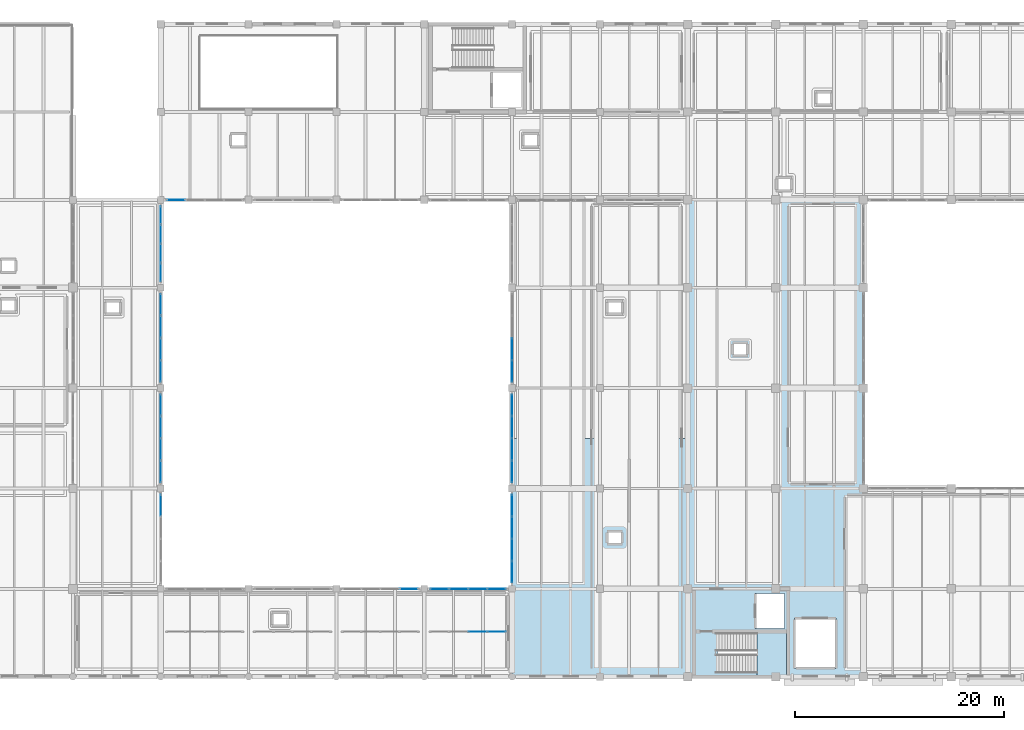
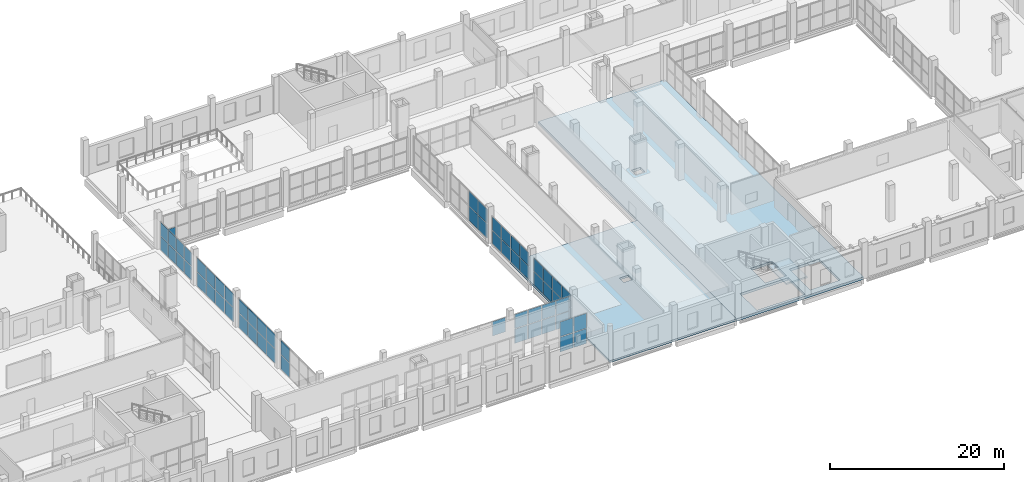
# One storey, part 50 of 73: 60 plates, 3 slabs, 12 elements without a shape of their own.
"""IFC4 building model written with IfcOpenShell, lengths in metres."""

from ifc_helpers import new_model, si_unit, direction, frame, origin, origin_2d, place, context, subcontext, project, spatial, polyline, rectangle, outline, extrude, material, layer, layer_set, type_object, element, aggregate, save


model = new_model("IFC4")

# Units and contexts
model_context = context("Model", 3, precision=1e-05, world=origin(), true_north=direction((0.0, 1.0)))
body_context = subcontext(model_context, "Body", "Model", "MODEL_VIEW")
ifc_project = project(units=[si_unit("LENGTHUNIT", "METRE"), si_unit("AREAUNIT", "SQUARE_METRE"), si_unit("VOLUMEUNIT", "CUBIC_METRE"), si_unit("PLANEANGLEUNIT", "RADIAN"), si_unit("MASSUNIT", "GRAM", prefix="KILO")], contexts=[model_context])

# Site, building, storey
site_placement = place(None, origin())
site = spatial("IfcSite", under=ifc_project, at=site_placement, CompositionType="ELEMENT")
building_placement = place(site_placement, origin())
building = spatial("IfcBuilding", under=site, at=building_placement, Name="Zulmaris Art Gallery", CompositionType="ELEMENT")
storey_placement = place(building_placement, frame((0.0, 0.0, 10.5)))
storey = spatial("IfcBuildingStorey", under=building, at=storey_placement, Name="L02", CompositionType="ELEMENT", Elevation=10.5)

# Curtain wall, plates
ifc_material_1 = material(Name="Cloister & Court Glazed Curtain Wall", Category="aluminium")
ifc_layer_1 = layer(ifc_material_1, 0.179931640625)
ifc_layer_set_1 = layer_set([ifc_layer_1], Name="Cloister & Court Glazed Curtain Wall")
curtain_wall_type_1 = type_object("IfcCurtainWallType", Name="CW-CW03", PredefinedType="NOTDEFINED", material=ifc_layer_set_1)
curtain_wall_1_placement = place(storey_placement, origin())
curtain_wall_1 = element("IfcCurtainWall", 1, at=curtain_wall_1_placement, inside=storey, type_object=curtain_wall_type_1, Name="L02 curtain wall 65", PredefinedType="NOTDEFINED")
ifc_material_2 = material(Name="Triple Solar-Control Laminated Glass", Category="glass")
ifc_layer_2 = layer(ifc_material_2, 0.035888671875)
ifc_layer_set_2 = layer_set([ifc_layer_2], Name="Triple Solar-Control Laminated Glass")
plate_type = type_object("IfcPlateType", Name="CWPAN-GLZ", PredefinedType="CURTAIN_PANEL", material=ifc_layer_set_2)
plate_1_placement = place(storey_placement, frame((121.514892578125, 17.5, 0.0751953125), z_axis=(0.0, 0.0, 1.0), x_axis=(1.0, 0.0, 0.0)))
plate_1 = element("IfcPlate", 2, at=plate_1_placement, type_object=plate_type, Name="CW03 panel 3.1", PredefinedType="CURTAIN_PANEL", context=body_context, shape_type="SweptSolid", body=[
    extrude(rectangle(XDim=1.7548828125, YDim=0.031982421875, at=origin_2d()), origin(), (0.0, 0.0, 1.0), 2.072509765625),
])
plate_2_placement = place(storey_placement, frame((121.514892578125, 17.5, 2.22265625), z_axis=(0.0, 0.0, 1.0), x_axis=(1.0, 0.0, 0.0)))
plate_2 = element("IfcPlate", 3, at=plate_2_placement, type_object=plate_type, Name="CW03 panel 3.2", PredefinedType="CURTAIN_PANEL", context=body_context, shape_type="SweptSolid", body=[
    extrude(rectangle(XDim=1.7548828125, YDim=0.031982421875, at=origin_2d()), origin(), (0.0, 0.0, 1.0), 2.072509765625),
])
plate_3_placement = place(storey_placement, frame((123.326171875, 17.5, 0.0751953125), z_axis=(0.0, 0.0, 1.0), x_axis=(1.0, 0.0, 0.0)))
plate_3 = element("IfcPlate", 4, at=plate_3_placement, type_object=plate_type, Name="CW03 panel 4.1", PredefinedType="CURTAIN_PANEL", context=body_context, shape_type="SweptSolid", body=[
    extrude(rectangle(XDim=1.717529296875, YDim=0.031982421875, at=origin_2d()), origin(), (0.0, 0.0, 1.0), 2.072509765625),
])
plate_4_placement = place(storey_placement, frame((123.326171875, 17.5, 2.22265625), z_axis=(0.0, 0.0, 1.0), x_axis=(1.0, 0.0, 0.0)))
plate_4 = element("IfcPlate", 5, at=plate_4_placement, type_object=plate_type, Name="CW03 panel 4.2", PredefinedType="CURTAIN_PANEL", context=body_context, shape_type="SweptSolid", body=[
    extrude(rectangle(XDim=1.717529296875, YDim=0.031982421875, at=origin_2d()), origin(), (0.0, 0.0, 1.0), 2.072509765625),
])
aggregate(curtain_wall_1, [plate_1, plate_2, plate_3, plate_4])

curtain_wall_2_placement = place(storey_placement, origin())
curtain_wall_2 = element("IfcCurtainWall", 6, at=curtain_wall_2_placement, inside=storey, type_object=curtain_wall_type_1, Name="L02 curtain wall 78", PredefinedType="NOTDEFINED")
plate_5_placement = place(storey_placement, frame((91.199951171875, 29.576171875, 0.074951171875), z_axis=(0.0, 0.0, 1.0), x_axis=(0.0, -1.0, 0.0)))
plate_5 = element("IfcPlate", 7, at=plate_5_placement, type_object=plate_type, Name="CW03 panel 1.1", PredefinedType="CURTAIN_PANEL", context=body_context, shape_type="SweptSolid", body=[
    extrude(rectangle(XDim=2.017578125, YDim=0.031982421875, at=origin_2d()), origin(), (0.0, 0.0, 1.0), 2.00244140625),
])
plate_6_placement = place(storey_placement, frame((91.199951171875, 29.576171875, 2.152587890625), z_axis=(0.0, 0.0, 1.0), x_axis=(0.0, -1.0, 0.0)))
plate_6 = element("IfcPlate", 8, at=plate_6_placement, type_object=plate_type, Name="CW03 panel 1.2", PredefinedType="CURTAIN_PANEL", context=body_context, shape_type="SweptSolid", body=[
    extrude(rectangle(XDim=2.017578125, YDim=0.031982421875, at=origin_2d()), origin(), (0.0, 0.0, 1.0), 2.00244140625),
])
aggregate(curtain_wall_2, [plate_5, plate_6])

curtain_wall_3_placement = place(storey_placement, origin())
curtain_wall_3 = element("IfcCurtainWall", 9, at=curtain_wall_3_placement, inside=storey, type_object=curtain_wall_type_1, Name="L02 curtain wall 80", PredefinedType="NOTDEFINED")
plate_7_placement = place(storey_placement, frame((91.199951171875, 39.17626953125, 0.0751953125), z_axis=(0.0, 0.0, 1.0), x_axis=(0.0, -1.0, 0.0)))
plate_7 = element("IfcPlate", 10, at=plate_7_placement, type_object=plate_type, Name="CW03 panel 1.1", PredefinedType="CURTAIN_PANEL", context=body_context, shape_type="SweptSolid", body=[
    extrude(rectangle(XDim=2.017578125, YDim=0.031982421875, at=origin_2d()), origin(), (0.0, 0.0, 1.0), 1.992431640625),
])
plate_8_placement = place(storey_placement, frame((91.199951171875, 39.17626953125, 2.142578125), z_axis=(0.0, 0.0, 1.0), x_axis=(0.0, -1.0, 0.0)))
plate_8 = element("IfcPlate", 11, at=plate_8_placement, type_object=plate_type, Name="CW03 panel 1.2", PredefinedType="CURTAIN_PANEL", context=body_context, shape_type="SweptSolid", body=[
    extrude(rectangle(XDim=2.017578125, YDim=0.031982421875, at=origin_2d()), origin(), (0.0, 0.0, 1.0), 1.992431640625),
])
plate_9_placement = place(storey_placement, frame((91.199951171875, 37.06494140625, 0.0751953125), z_axis=(0.0, 0.0, 1.0), x_axis=(0.0, -1.0, 0.0)))
plate_9 = element("IfcPlate", 12, at=plate_9_placement, type_object=plate_type, Name="CW03 panel 2.1", PredefinedType="CURTAIN_PANEL", context=body_context, shape_type="SweptSolid", body=[
    extrude(rectangle(XDim=2.054931640625, YDim=0.031982421875, at=origin_2d()), origin(), (0.0, 0.0, 1.0), 1.992431640625),
])
plate_10_placement = place(storey_placement, frame((91.199951171875, 37.06494140625, 2.142578125), z_axis=(0.0, 0.0, 1.0), x_axis=(0.0, -1.0, 0.0)))
plate_10 = element("IfcPlate", 13, at=plate_10_placement, type_object=plate_type, Name="CW03 panel 2.2", PredefinedType="CURTAIN_PANEL", context=body_context, shape_type="SweptSolid", body=[
    extrude(rectangle(XDim=2.054931640625, YDim=0.031982421875, at=origin_2d()), origin(), (0.0, 0.0, 1.0), 1.992431640625),
])
plate_11_placement = place(storey_placement, frame((91.199951171875, 34.93505859375, 0.0751953125), z_axis=(0.0, 0.0, 1.0), x_axis=(0.0, -1.0, 0.0)))
plate_11 = element("IfcPlate", 14, at=plate_11_placement, type_object=plate_type, Name="CW03 panel 3.1", PredefinedType="CURTAIN_PANEL", context=body_context, shape_type="SweptSolid", body=[
    extrude(rectangle(XDim=2.054931640625, YDim=0.031982421875, at=origin_2d()), origin(), (0.0, 0.0, 1.0), 1.992431640625),
])
plate_12_placement = place(storey_placement, frame((91.199951171875, 34.93505859375, 2.142578125), z_axis=(0.0, 0.0, 1.0), x_axis=(0.0, -1.0, 0.0)))
plate_12 = element("IfcPlate", 15, at=plate_12_placement, type_object=plate_type, Name="CW03 panel 3.2", PredefinedType="CURTAIN_PANEL", context=body_context, shape_type="SweptSolid", body=[
    extrude(rectangle(XDim=2.054931640625, YDim=0.031982421875, at=origin_2d()), origin(), (0.0, 0.0, 1.0), 1.992431640625),
])
plate_13_placement = place(storey_placement, frame((91.199951171875, 32.82373046875, 0.0751953125), z_axis=(0.0, 0.0, 1.0), x_axis=(0.0, -1.0, 0.0)))
plate_13 = element("IfcPlate", 16, at=plate_13_placement, type_object=plate_type, Name="CW03 panel 4.1", PredefinedType="CURTAIN_PANEL", context=body_context, shape_type="SweptSolid", body=[
    extrude(rectangle(XDim=2.017578125, YDim=0.031982421875, at=origin_2d()), origin(), (0.0, 0.0, 1.0), 1.992431640625),
])
plate_14_placement = place(storey_placement, frame((91.199951171875, 32.82373046875, 2.142578125), z_axis=(0.0, 0.0, 1.0), x_axis=(0.0, -1.0, 0.0)))
plate_14 = element("IfcPlate", 17, at=plate_14_placement, type_object=plate_type, Name="CW03 panel 4.2", PredefinedType="CURTAIN_PANEL", context=body_context, shape_type="SweptSolid", body=[
    extrude(rectangle(XDim=2.017578125, YDim=0.031982421875, at=origin_2d()), origin(), (0.0, 0.0, 1.0), 1.992431640625),
])
aggregate(curtain_wall_3, [plate_7, plate_8, plate_9, plate_10, plate_11, plate_12, plate_13, plate_14])

curtain_wall_4_placement = place(storey_placement, origin())
curtain_wall_4 = element("IfcCurtainWall", 18, at=curtain_wall_4_placement, inside=storey, type_object=curtain_wall_type_1, Name="L02 curtain wall 82", PredefinedType="NOTDEFINED")
plate_15_placement = place(storey_placement, frame((91.199951171875, 48.7763671875, 0.074951171875), z_axis=(0.0, 0.0, 1.0), x_axis=(0.0, -1.0, 0.0)))
plate_15 = element("IfcPlate", 19, at=plate_15_placement, type_object=plate_type, Name="CW03 panel 1.1", PredefinedType="CURTAIN_PANEL", context=body_context, shape_type="SweptSolid", body=[
    extrude(rectangle(XDim=2.017578125, YDim=0.031982421875, at=origin_2d()), origin(), (0.0, 0.0, 1.0), 1.9375),
])
plate_16_placement = place(storey_placement, frame((91.199951171875, 48.7763671875, 2.08740234375), z_axis=(0.0, 0.0, 1.0), x_axis=(0.0, -1.0, 0.0)))
plate_16 = element("IfcPlate", 20, at=plate_16_placement, type_object=plate_type, Name="CW03 panel 1.2", PredefinedType="CURTAIN_PANEL", context=body_context, shape_type="SweptSolid", body=[
    extrude(rectangle(XDim=2.017578125, YDim=0.031982421875, at=origin_2d()), origin(), (0.0, 0.0, 1.0), 1.9375),
])
plate_17_placement = place(storey_placement, frame((91.199951171875, 46.6650390625, 0.074951171875), z_axis=(0.0, 0.0, 1.0), x_axis=(0.0, -1.0, 0.0)))
plate_17 = element("IfcPlate", 21, at=plate_17_placement, type_object=plate_type, Name="CW03 panel 2.1", PredefinedType="CURTAIN_PANEL", context=body_context, shape_type="SweptSolid", body=[
    extrude(rectangle(XDim=2.054931640625, YDim=0.031982421875, at=origin_2d()), origin(), (0.0, 0.0, 1.0), 1.9375),
])
plate_18_placement = place(storey_placement, frame((91.199951171875, 46.6650390625, 2.08740234375), z_axis=(0.0, 0.0, 1.0), x_axis=(0.0, -1.0, 0.0)))
plate_18 = element("IfcPlate", 22, at=plate_18_placement, type_object=plate_type, Name="CW03 panel 2.2", PredefinedType="CURTAIN_PANEL", context=body_context, shape_type="SweptSolid", body=[
    extrude(rectangle(XDim=2.054931640625, YDim=0.031982421875, at=origin_2d()), origin(), (0.0, 0.0, 1.0), 1.9375),
])
plate_19_placement = place(storey_placement, frame((91.199951171875, 44.534912109375, 0.074951171875), z_axis=(0.0, 0.0, 1.0), x_axis=(0.0, -1.0, 0.0)))
plate_19 = element("IfcPlate", 23, at=plate_19_placement, type_object=plate_type, Name="CW03 panel 3.1", PredefinedType="CURTAIN_PANEL", context=body_context, shape_type="SweptSolid", body=[
    extrude(rectangle(XDim=2.054931640625, YDim=0.031982421875, at=origin_2d()), origin(), (0.0, 0.0, 1.0), 1.9375),
])
plate_20_placement = place(storey_placement, frame((91.199951171875, 44.534912109375, 2.08740234375), z_axis=(0.0, 0.0, 1.0), x_axis=(0.0, -1.0, 0.0)))
plate_20 = element("IfcPlate", 24, at=plate_20_placement, type_object=plate_type, Name="CW03 panel 3.2", PredefinedType="CURTAIN_PANEL", context=body_context, shape_type="SweptSolid", body=[
    extrude(rectangle(XDim=2.054931640625, YDim=0.031982421875, at=origin_2d()), origin(), (0.0, 0.0, 1.0), 1.9375),
])
plate_21_placement = place(storey_placement, frame((91.199951171875, 42.423828125, 0.074951171875), z_axis=(0.0, 0.0, 1.0), x_axis=(0.0, -1.0, 0.0)))
plate_21 = element("IfcPlate", 25, at=plate_21_placement, type_object=plate_type, Name="CW03 panel 4.1", PredefinedType="CURTAIN_PANEL", context=body_context, shape_type="SweptSolid", body=[
    extrude(rectangle(XDim=2.017578125, YDim=0.031982421875, at=origin_2d()), origin(), (0.0, 0.0, 1.0), 1.9375),
])
plate_22_placement = place(storey_placement, frame((91.199951171875, 42.423828125, 2.08740234375), z_axis=(0.0, 0.0, 1.0), x_axis=(0.0, -1.0, 0.0)))
plate_22 = element("IfcPlate", 26, at=plate_22_placement, type_object=plate_type, Name="CW03 panel 4.2", PredefinedType="CURTAIN_PANEL", context=body_context, shape_type="SweptSolid", body=[
    extrude(rectangle(XDim=2.017578125, YDim=0.031982421875, at=origin_2d()), origin(), (0.0, 0.0, 1.0), 1.9375),
])
aggregate(curtain_wall_4, [plate_15, plate_16, plate_17, plate_18, plate_19, plate_20, plate_21, plate_22])

curtain_wall_5_placement = place(storey_placement, origin())
curtain_wall_5 = element("IfcCurtainWall", 27, at=curtain_wall_5_placement, inside=storey, type_object=curtain_wall_type_1, Name="L02 curtain wall 84", PredefinedType="NOTDEFINED")
plate_23_placement = place(storey_placement, frame((91.199951171875, 57.326171875, 0.0751953125), z_axis=(0.0, 0.0, 1.0), x_axis=(0.0, -1.0, 0.0)))
plate_23 = element("IfcPlate", 28, at=plate_23_placement, type_object=plate_type, Name="CW03 panel 1.1", PredefinedType="CURTAIN_PANEL", context=body_context, shape_type="SweptSolid", body=[
    extrude(rectangle(XDim=1.717529296875, YDim=0.031982421875, at=origin_2d()), origin(), (0.0, 0.0, 1.0), 1.887451171875),
])
plate_24_placement = place(storey_placement, frame((91.199951171875, 57.326171875, 2.03759765625), z_axis=(0.0, 0.0, 1.0), x_axis=(0.0, -1.0, 0.0)))
plate_24 = element("IfcPlate", 29, at=plate_24_placement, type_object=plate_type, Name="CW03 panel 1.2", PredefinedType="CURTAIN_PANEL", context=body_context, shape_type="SweptSolid", body=[
    extrude(rectangle(XDim=1.717529296875, YDim=0.031982421875, at=origin_2d()), origin(), (0.0, 0.0, 1.0), 1.887451171875),
])
plate_25_placement = place(storey_placement, frame((91.199951171875, 55.514892578125, 0.0751953125), z_axis=(0.0, 0.0, 1.0), x_axis=(0.0, -1.0, 0.0)))
plate_25 = element("IfcPlate", 30, at=plate_25_placement, type_object=plate_type, Name="CW03 panel 2.1", PredefinedType="CURTAIN_PANEL", context=body_context, shape_type="SweptSolid", body=[
    extrude(rectangle(XDim=1.7548828125, YDim=0.031982421875, at=origin_2d()), origin(), (0.0, 0.0, 1.0), 1.887451171875),
])
plate_26_placement = place(storey_placement, frame((91.199951171875, 55.514892578125, 2.03759765625), z_axis=(0.0, 0.0, 1.0), x_axis=(0.0, -1.0, 0.0)))
plate_26 = element("IfcPlate", 31, at=plate_26_placement, type_object=plate_type, Name="CW03 panel 2.2", PredefinedType="CURTAIN_PANEL", context=body_context, shape_type="SweptSolid", body=[
    extrude(rectangle(XDim=1.7548828125, YDim=0.031982421875, at=origin_2d()), origin(), (0.0, 0.0, 1.0), 1.887451171875),
])
plate_27_placement = place(storey_placement, frame((91.199951171875, 53.68505859375, 0.0751953125), z_axis=(0.0, 0.0, 1.0), x_axis=(0.0, -1.0, 0.0)))
plate_27 = element("IfcPlate", 32, at=plate_27_placement, type_object=plate_type, Name="CW03 panel 3.1", PredefinedType="CURTAIN_PANEL", context=body_context, shape_type="SweptSolid", body=[
    extrude(rectangle(XDim=1.7548828125, YDim=0.031982421875, at=origin_2d()), origin(), (0.0, 0.0, 1.0), 1.887451171875),
])
plate_28_placement = place(storey_placement, frame((91.199951171875, 53.68505859375, 2.03759765625), z_axis=(0.0, 0.0, 1.0), x_axis=(0.0, -1.0, 0.0)))
plate_28 = element("IfcPlate", 33, at=plate_28_placement, type_object=plate_type, Name="CW03 panel 3.2", PredefinedType="CURTAIN_PANEL", context=body_context, shape_type="SweptSolid", body=[
    extrude(rectangle(XDim=1.7548828125, YDim=0.031982421875, at=origin_2d()), origin(), (0.0, 0.0, 1.0), 1.887451171875),
])
plate_29_placement = place(storey_placement, frame((91.199951171875, 51.873779296875, 0.0751953125), z_axis=(0.0, 0.0, 1.0), x_axis=(0.0, -1.0, 0.0)))
plate_29 = element("IfcPlate", 34, at=plate_29_placement, type_object=plate_type, Name="CW03 panel 4.1", PredefinedType="CURTAIN_PANEL", context=body_context, shape_type="SweptSolid", body=[
    extrude(rectangle(XDim=1.717529296875, YDim=0.031982421875, at=origin_2d()), origin(), (0.0, 0.0, 1.0), 1.887451171875),
])
plate_30_placement = place(storey_placement, frame((91.199951171875, 51.873779296875, 2.03759765625), z_axis=(0.0, 0.0, 1.0), x_axis=(0.0, -1.0, 0.0)))
plate_30 = element("IfcPlate", 35, at=plate_30_placement, type_object=plate_type, Name="CW03 panel 4.2", PredefinedType="CURTAIN_PANEL", context=body_context, shape_type="SweptSolid", body=[
    extrude(rectangle(XDim=1.717529296875, YDim=0.031982421875, at=origin_2d()), origin(), (0.0, 0.0, 1.0), 1.887451171875),
])
aggregate(curtain_wall_5, [plate_23, plate_24, plate_25, plate_26, plate_27, plate_28, plate_29, plate_30])

# Curtain wall, plate
ifc_material_3 = material(Name="Unitised Low-E Gallery Curtain Wall", Category="aluminium")
ifc_layer_3 = layer(ifc_material_3, 0.179931640625)
ifc_layer_set_3 = layer_set([ifc_layer_3], Name="Unitised Low-E Gallery Curtain Wall")
curtain_wall_type_2 = type_object("IfcCurtainWallType", Name="CW-CW01", PredefinedType="NOTDEFINED", material=ifc_layer_set_3)
curtain_wall_6_placement = place(storey_placement, origin())
curtain_wall_6 = element("IfcCurtainWall", 36, at=curtain_wall_6_placement, inside=storey, type_object=curtain_wall_type_2, Name="L02 curtain wall 104", PredefinedType="NOTDEFINED")
plate_31_placement = place(storey_placement, frame((92.673828125, 58.800048828125, 0.0751953125), z_axis=(0.0, 0.0, 1.0), x_axis=(1.0, 0.0, 0.0)))
plate_31 = element("IfcPlate", 37, at=plate_31_placement, type_object=plate_type, Name="CW01 panel 1.1", PredefinedType="CURTAIN_PANEL", context=body_context, shape_type="SweptSolid", body=[
    extrude(rectangle(XDim=1.717529296875, YDim=0.031982421875, at=origin_2d()), origin(), (0.0, 0.0, 1.0), 1.992431640625),
])
aggregate(curtain_wall_6, [plate_31])

# Curtain wall, plates
curtain_wall_7_placement = place(storey_placement, origin())
curtain_wall_7 = element("IfcCurtainWall", 38, at=curtain_wall_7_placement, inside=storey, type_object=curtain_wall_type_2, Name="L02 curtain wall 110", PredefinedType="NOTDEFINED")
plate_32_placement = place(storey_placement, frame((124.800048828125, 23.2236328125, 0.074951171875), z_axis=(0.0, 0.0, 1.0), x_axis=(0.0, 1.0, 0.0)))
plate_32 = element("IfcPlate", 39, at=plate_32_placement, type_object=plate_type, Name="CW01 panel 1.1", PredefinedType="CURTAIN_PANEL", context=body_context, shape_type="SweptSolid", body=[
    extrude(rectangle(XDim=2.017578125, YDim=0.031982421875, at=origin_2d()), origin(), (0.0, 0.0, 1.0), 1.83740234375),
])
plate_33_placement = place(storey_placement, frame((124.800048828125, 23.2236328125, 1.987548828125), z_axis=(0.0, 0.0, 1.0), x_axis=(0.0, 1.0, 0.0)))
plate_33 = element("IfcPlate", 40, at=plate_33_placement, type_object=plate_type, Name="CW01 panel 1.2", PredefinedType="CURTAIN_PANEL", context=body_context, shape_type="SweptSolid", body=[
    extrude(rectangle(XDim=2.017578125, YDim=0.031982421875, at=origin_2d()), origin(), (0.0, 0.0, 1.0), 1.83740234375),
])
plate_34_placement = place(storey_placement, frame((124.800048828125, 25.3349609375, 0.074951171875), z_axis=(0.0, 0.0, 1.0), x_axis=(0.0, 1.0, 0.0)))
plate_34 = element("IfcPlate", 41, at=plate_34_placement, type_object=plate_type, Name="CW01 panel 2.1", PredefinedType="CURTAIN_PANEL", context=body_context, shape_type="SweptSolid", body=[
    extrude(rectangle(XDim=2.054931640625, YDim=0.031982421875, at=origin_2d()), origin(), (0.0, 0.0, 1.0), 1.83740234375),
])
plate_35_placement = place(storey_placement, frame((124.800048828125, 25.3349609375, 1.987548828125), z_axis=(0.0, 0.0, 1.0), x_axis=(0.0, 1.0, 0.0)))
plate_35 = element("IfcPlate", 42, at=plate_35_placement, type_object=plate_type, Name="CW01 panel 2.2", PredefinedType="CURTAIN_PANEL", context=body_context, shape_type="SweptSolid", body=[
    extrude(rectangle(XDim=2.054931640625, YDim=0.031982421875, at=origin_2d()), origin(), (0.0, 0.0, 1.0), 1.83740234375),
])
plate_36_placement = place(storey_placement, frame((124.800048828125, 27.465087890625, 0.074951171875), z_axis=(0.0, 0.0, 1.0), x_axis=(0.0, 1.0, 0.0)))
plate_36 = element("IfcPlate", 43, at=plate_36_placement, type_object=plate_type, Name="CW01 panel 3.1", PredefinedType="CURTAIN_PANEL", context=body_context, shape_type="SweptSolid", body=[
    extrude(rectangle(XDim=2.054931640625, YDim=0.031982421875, at=origin_2d()), origin(), (0.0, 0.0, 1.0), 1.83740234375),
])
plate_37_placement = place(storey_placement, frame((124.800048828125, 27.465087890625, 1.987548828125), z_axis=(0.0, 0.0, 1.0), x_axis=(0.0, 1.0, 0.0)))
plate_37 = element("IfcPlate", 44, at=plate_37_placement, type_object=plate_type, Name="CW01 panel 3.2", PredefinedType="CURTAIN_PANEL", context=body_context, shape_type="SweptSolid", body=[
    extrude(rectangle(XDim=2.054931640625, YDim=0.031982421875, at=origin_2d()), origin(), (0.0, 0.0, 1.0), 1.83740234375),
])
plate_38_placement = place(storey_placement, frame((124.800048828125, 29.576171875, 0.074951171875), z_axis=(0.0, 0.0, 1.0), x_axis=(0.0, 1.0, 0.0)))
plate_38 = element("IfcPlate", 45, at=plate_38_placement, type_object=plate_type, Name="CW01 panel 4.1", PredefinedType="CURTAIN_PANEL", context=body_context, shape_type="SweptSolid", body=[
    extrude(rectangle(XDim=2.017578125, YDim=0.031982421875, at=origin_2d()), origin(), (0.0, 0.0, 1.0), 1.83740234375),
])
plate_39_placement = place(storey_placement, frame((124.800048828125, 29.576171875, 1.987548828125), z_axis=(0.0, 0.0, 1.0), x_axis=(0.0, 1.0, 0.0)))
plate_39 = element("IfcPlate", 46, at=plate_39_placement, type_object=plate_type, Name="CW01 panel 4.2", PredefinedType="CURTAIN_PANEL", context=body_context, shape_type="SweptSolid", body=[
    extrude(rectangle(XDim=2.017578125, YDim=0.031982421875, at=origin_2d()), origin(), (0.0, 0.0, 1.0), 1.83740234375),
])
aggregate(curtain_wall_7, [plate_32, plate_33, plate_34, plate_35, plate_36, plate_37, plate_38, plate_39])

curtain_wall_8_placement = place(storey_placement, origin())
curtain_wall_8 = element("IfcCurtainWall", 47, at=curtain_wall_8_placement, inside=storey, type_object=curtain_wall_type_2, Name="L02 curtain wall 111", PredefinedType="NOTDEFINED")
plate_40_placement = place(storey_placement, frame((124.800048828125, 32.82373046875, 0.074951171875), z_axis=(0.0, 0.0, 1.0), x_axis=(0.0, 1.0, 0.0)))
plate_40 = element("IfcPlate", 48, at=plate_40_placement, type_object=plate_type, Name="CW01 panel 1.1", PredefinedType="CURTAIN_PANEL", context=body_context, shape_type="SweptSolid", body=[
    extrude(rectangle(XDim=2.017578125, YDim=0.031982421875, at=origin_2d()), origin(), (0.0, 0.0, 1.0), 1.83740234375),
])
plate_41_placement = place(storey_placement, frame((124.800048828125, 32.82373046875, 1.987548828125), z_axis=(0.0, 0.0, 1.0), x_axis=(0.0, 1.0, 0.0)))
plate_41 = element("IfcPlate", 49, at=plate_41_placement, type_object=plate_type, Name="CW01 panel 1.2", PredefinedType="CURTAIN_PANEL", context=body_context, shape_type="SweptSolid", body=[
    extrude(rectangle(XDim=2.017578125, YDim=0.031982421875, at=origin_2d()), origin(), (0.0, 0.0, 1.0), 1.83740234375),
])
plate_42_placement = place(storey_placement, frame((124.800048828125, 34.93505859375, 0.074951171875), z_axis=(0.0, 0.0, 1.0), x_axis=(0.0, 1.0, 0.0)))
plate_42 = element("IfcPlate", 50, at=plate_42_placement, type_object=plate_type, Name="CW01 panel 2.1", PredefinedType="CURTAIN_PANEL", context=body_context, shape_type="SweptSolid", body=[
    extrude(rectangle(XDim=2.054931640625, YDim=0.031982421875, at=origin_2d()), origin(), (0.0, 0.0, 1.0), 1.83740234375),
])
plate_43_placement = place(storey_placement, frame((124.800048828125, 34.93505859375, 1.987548828125), z_axis=(0.0, 0.0, 1.0), x_axis=(0.0, 1.0, 0.0)))
plate_43 = element("IfcPlate", 51, at=plate_43_placement, type_object=plate_type, Name="CW01 panel 2.2", PredefinedType="CURTAIN_PANEL", context=body_context, shape_type="SweptSolid", body=[
    extrude(rectangle(XDim=2.054931640625, YDim=0.031982421875, at=origin_2d()), origin(), (0.0, 0.0, 1.0), 1.83740234375),
])
plate_44_placement = place(storey_placement, frame((124.800048828125, 37.06494140625, 0.074951171875), z_axis=(0.0, 0.0, 1.0), x_axis=(0.0, 1.0, 0.0)))
plate_44 = element("IfcPlate", 52, at=plate_44_placement, type_object=plate_type, Name="CW01 panel 3.1", PredefinedType="CURTAIN_PANEL", context=body_context, shape_type="SweptSolid", body=[
    extrude(rectangle(XDim=2.054931640625, YDim=0.031982421875, at=origin_2d()), origin(), (0.0, 0.0, 1.0), 1.83740234375),
])
plate_45_placement = place(storey_placement, frame((124.800048828125, 37.06494140625, 1.987548828125), z_axis=(0.0, 0.0, 1.0), x_axis=(0.0, 1.0, 0.0)))
plate_45 = element("IfcPlate", 53, at=plate_45_placement, type_object=plate_type, Name="CW01 panel 3.2", PredefinedType="CURTAIN_PANEL", context=body_context, shape_type="SweptSolid", body=[
    extrude(rectangle(XDim=2.054931640625, YDim=0.031982421875, at=origin_2d()), origin(), (0.0, 0.0, 1.0), 1.83740234375),
])
plate_46_placement = place(storey_placement, frame((124.800048828125, 39.17626953125, 0.074951171875), z_axis=(0.0, 0.0, 1.0), x_axis=(0.0, 1.0, 0.0)))
plate_46 = element("IfcPlate", 54, at=plate_46_placement, type_object=plate_type, Name="CW01 panel 4.1", PredefinedType="CURTAIN_PANEL", context=body_context, shape_type="SweptSolid", body=[
    extrude(rectangle(XDim=2.017578125, YDim=0.031982421875, at=origin_2d()), origin(), (0.0, 0.0, 1.0), 1.83740234375),
])
plate_47_placement = place(storey_placement, frame((124.800048828125, 39.17626953125, 1.987548828125), z_axis=(0.0, 0.0, 1.0), x_axis=(0.0, 1.0, 0.0)))
plate_47 = element("IfcPlate", 55, at=plate_47_placement, type_object=plate_type, Name="CW01 panel 4.2", PredefinedType="CURTAIN_PANEL", context=body_context, shape_type="SweptSolid", body=[
    extrude(rectangle(XDim=2.017578125, YDim=0.031982421875, at=origin_2d()), origin(), (0.0, 0.0, 1.0), 1.83740234375),
])
aggregate(curtain_wall_8, [plate_40, plate_41, plate_42, plate_43, plate_44, plate_45, plate_46, plate_47])

curtain_wall_9_placement = place(storey_placement, origin())
curtain_wall_9 = element("IfcCurtainWall", 56, at=curtain_wall_9_placement, inside=storey, type_object=curtain_wall_type_2, Name="L02 curtain wall 112", PredefinedType="NOTDEFINED")
plate_48_placement = place(storey_placement, frame((124.800048828125, 42.423828125, 0.074951171875), z_axis=(0.0, 0.0, 1.0), x_axis=(0.0, 1.0, 0.0)))
plate_48 = element("IfcPlate", 57, at=plate_48_placement, type_object=plate_type, Name="CW01 panel 1.1", PredefinedType="CURTAIN_PANEL", context=body_context, shape_type="SweptSolid", body=[
    extrude(rectangle(XDim=2.017578125, YDim=0.031982421875, at=origin_2d()), origin(), (0.0, 0.0, 1.0), 2.00244140625),
])
plate_49_placement = place(storey_placement, frame((124.800048828125, 42.423828125, 2.152587890625), z_axis=(0.0, 0.0, 1.0), x_axis=(0.0, 1.0, 0.0)))
plate_49 = element("IfcPlate", 58, at=plate_49_placement, type_object=plate_type, Name="CW01 panel 1.2", PredefinedType="CURTAIN_PANEL", context=body_context, shape_type="SweptSolid", body=[
    extrude(rectangle(XDim=2.017578125, YDim=0.031982421875, at=origin_2d()), origin(), (0.0, 0.0, 1.0), 2.00244140625),
])
plate_50_placement = place(storey_placement, frame((124.800048828125, 44.534912109375, 0.074951171875), z_axis=(0.0, 0.0, 1.0), x_axis=(0.0, 1.0, 0.0)))
plate_50 = element("IfcPlate", 59, at=plate_50_placement, type_object=plate_type, Name="CW01 panel 2.1", PredefinedType="CURTAIN_PANEL", context=body_context, shape_type="SweptSolid", body=[
    extrude(rectangle(XDim=2.054931640625, YDim=0.031982421875, at=origin_2d()), origin(), (0.0, 0.0, 1.0), 2.00244140625),
])
plate_51_placement = place(storey_placement, frame((124.800048828125, 44.534912109375, 2.152587890625), z_axis=(0.0, 0.0, 1.0), x_axis=(0.0, 1.0, 0.0)))
plate_51 = element("IfcPlate", 60, at=plate_51_placement, type_object=plate_type, Name="CW01 panel 2.2", PredefinedType="CURTAIN_PANEL", context=body_context, shape_type="SweptSolid", body=[
    extrude(rectangle(XDim=2.054931640625, YDim=0.031982421875, at=origin_2d()), origin(), (0.0, 0.0, 1.0), 2.00244140625),
])
aggregate(curtain_wall_9, [plate_48, plate_49, plate_50, plate_51])

# Curtain wall, plate
curtain_wall_10_placement = place(storey_placement, origin())
curtain_wall_10 = element("IfcCurtainWall", 61, at=curtain_wall_10_placement, inside=storey, type_object=curtain_wall_type_1, Name="L02 curtain wall 195", PredefinedType="NOTDEFINED")
plate_52_placement = place(storey_placement, frame((114.92626953125, 21.60009765625, 2.152587890625), z_axis=(0.0, 0.0, 1.0), x_axis=(1.0, 0.0, 0.0)))
plate_52 = element("IfcPlate", 62, at=plate_52_placement, type_object=plate_type, Name="CW03 panel 4.2", PredefinedType="CURTAIN_PANEL", context=body_context, shape_type="SweptSolid", body=[
    extrude(rectangle(XDim=1.717529296875, YDim=0.031982421875, at=origin_2d()), origin(), (0.0, 0.0, 1.0), 2.00244140625),
])
aggregate(curtain_wall_10, [plate_52])

# Curtain wall, plates
curtain_wall_11_placement = place(storey_placement, origin())
curtain_wall_11 = element("IfcCurtainWall", 63, at=curtain_wall_11_placement, inside=storey, type_object=curtain_wall_type_1, Name="L02 curtain wall 196", PredefinedType="NOTDEFINED")
plate_53_placement = place(storey_placement, frame((117.873779296875, 21.60009765625, 0.0751953125), z_axis=(0.0, 0.0, 1.0), x_axis=(1.0, 0.0, 0.0)))
plate_53 = element("IfcPlate", 64, at=plate_53_placement, type_object=plate_type, Name="CW03 panel 1.1", PredefinedType="CURTAIN_PANEL", context=body_context, shape_type="SweptSolid", body=[
    extrude(rectangle(XDim=1.717529296875, YDim=0.031982421875, at=origin_2d()), origin(), (0.0, 0.0, 1.0), 1.992431640625),
])
plate_54_placement = place(storey_placement, frame((117.873779296875, 21.60009765625, 2.142578125), z_axis=(0.0, 0.0, 1.0), x_axis=(1.0, 0.0, 0.0)))
plate_54 = element("IfcPlate", 65, at=plate_54_placement, type_object=plate_type, Name="CW03 panel 1.2", PredefinedType="CURTAIN_PANEL", context=body_context, shape_type="SweptSolid", body=[
    extrude(rectangle(XDim=1.717529296875, YDim=0.031982421875, at=origin_2d()), origin(), (0.0, 0.0, 1.0), 1.992431640625),
])
plate_55_placement = place(storey_placement, frame((119.68505859375, 21.60009765625, 0.0751953125), z_axis=(0.0, 0.0, 1.0), x_axis=(1.0, 0.0, 0.0)))
plate_55 = element("IfcPlate", 66, at=plate_55_placement, type_object=plate_type, Name="CW03 panel 2.1", PredefinedType="CURTAIN_PANEL", context=body_context, shape_type="SweptSolid", body=[
    extrude(rectangle(XDim=1.7548828125, YDim=0.031982421875, at=origin_2d()), origin(), (0.0, 0.0, 1.0), 1.992431640625),
])
plate_56_placement = place(storey_placement, frame((119.68505859375, 21.60009765625, 2.142578125), z_axis=(0.0, 0.0, 1.0), x_axis=(1.0, 0.0, 0.0)))
plate_56 = element("IfcPlate", 67, at=plate_56_placement, type_object=plate_type, Name="CW03 panel 2.2", PredefinedType="CURTAIN_PANEL", context=body_context, shape_type="SweptSolid", body=[
    extrude(rectangle(XDim=1.7548828125, YDim=0.031982421875, at=origin_2d()), origin(), (0.0, 0.0, 1.0), 1.992431640625),
])
plate_57_placement = place(storey_placement, frame((121.514892578125, 21.60009765625, 0.0751953125), z_axis=(0.0, 0.0, 1.0), x_axis=(1.0, 0.0, 0.0)))
plate_57 = element("IfcPlate", 68, at=plate_57_placement, type_object=plate_type, Name="CW03 panel 3.1", PredefinedType="CURTAIN_PANEL", context=body_context, shape_type="SweptSolid", body=[
    extrude(rectangle(XDim=1.7548828125, YDim=0.031982421875, at=origin_2d()), origin(), (0.0, 0.0, 1.0), 1.992431640625),
])
plate_58_placement = place(storey_placement, frame((121.514892578125, 21.60009765625, 2.142578125), z_axis=(0.0, 0.0, 1.0), x_axis=(1.0, 0.0, 0.0)))
plate_58 = element("IfcPlate", 69, at=plate_58_placement, type_object=plate_type, Name="CW03 panel 3.2", PredefinedType="CURTAIN_PANEL", context=body_context, shape_type="SweptSolid", body=[
    extrude(rectangle(XDim=1.7548828125, YDim=0.031982421875, at=origin_2d()), origin(), (0.0, 0.0, 1.0), 1.992431640625),
])
plate_59_placement = place(storey_placement, frame((123.326171875, 21.60009765625, 0.0751953125), z_axis=(0.0, 0.0, 1.0), x_axis=(1.0, 0.0, 0.0)))
plate_59 = element("IfcPlate", 70, at=plate_59_placement, type_object=plate_type, Name="CW03 panel 4.1", PredefinedType="CURTAIN_PANEL", context=body_context, shape_type="SweptSolid", body=[
    extrude(rectangle(XDim=1.717529296875, YDim=0.031982421875, at=origin_2d()), origin(), (0.0, 0.0, 1.0), 1.992431640625),
])
plate_60_placement = place(storey_placement, frame((123.326171875, 21.60009765625, 2.142578125), z_axis=(0.0, 0.0, 1.0), x_axis=(1.0, 0.0, 0.0)))
plate_60 = element("IfcPlate", 71, at=plate_60_placement, type_object=plate_type, Name="CW03 panel 4.2", PredefinedType="CURTAIN_PANEL", context=body_context, shape_type="SweptSolid", body=[
    extrude(rectangle(XDim=1.717529296875, YDim=0.031982421875, at=origin_2d()), origin(), (0.0, 0.0, 1.0), 1.992431640625),
])
aggregate(curtain_wall_11, [plate_53, plate_54, plate_55, plate_56, plate_57, plate_58, plate_59, plate_60])

# Slabs
ifc_material_4 = material(Name="Concrete C40/50", Category="concrete")
ifc_layer_4 = layer(ifc_material_4, 0.35009765625)
ifc_layer_set_4 = layer_set([ifc_layer_4], Name="Concrete C40/50")
slab_type_1 = type_object("IfcSlabType", Name="SLAB-SL-FL05", PredefinedType="FLOOR", material=ifc_layer_set_4)
slab_1_placement = place(storey_placement, frame((0.0, 0.0, -0.35009765625)))
element("IfcSlab", 72, at=slab_1_placement, inside=storey, type_object=slab_type_1, Name="L02 V5-SW slab", PredefinedType="FLOOR", context=body_context, shape_type="SweptSolid", body=[
    extrude(outline(polyline([(158.39990234375, 58.800048828125), (158.39990234375, 31.199951171875), (158.39990234375, 13.199951171875), (141.60009765625, 13.199951171875), (141.60009765625, 58.800048828125), (158.39990234375, 58.800048828125)]), holes=[polyline([(144.4599609375, 13.550048828125), (150.85009765625, 13.550048828125), (150.85009765625, 17.389892578125), (144.4599609375, 17.389892578125), (144.4599609375, 13.550048828125)]), polyline([(155.800048828125, 14.0), (155.800048828125, 18.800048828125), (151.800048828125, 18.800048828125), (151.800048828125, 14.0), (155.800048828125, 14.0)]), polyline([(150.85009765625, 17.820068359375), (150.85009765625, 21.14990234375), (148.050048828125, 21.14990234375), (148.050048828125, 17.820068359375), (150.85009765625, 17.820068359375)]), polyline([(147.199951171875, 44.0), (147.199951171875, 45.0), (146.0, 45.0), (146.0, 44.0), (147.199951171875, 44.0)])]), origin(), (0.0, 0.0, 1.0), 0.35009765625),
])
ifc_layer_5 = layer(ifc_material_4, 0.27001953125)
ifc_layer_set_5 = layer_set([ifc_layer_5], Name="Concrete C40/50")
slab_type_2 = type_object("IfcSlabType", Name="SLAB-SL-FL06", PredefinedType="FLOOR", material=ifc_layer_set_5)
slab_2_placement = place(storey_placement, frame((0.0, 0.0, -0.27001953125)))
element("IfcSlab", 73, at=slab_2_placement, inside=storey, type_object=slab_type_2, Name="L02 V4-ES slab", PredefinedType="FLOOR", context=body_context, shape_type="SweptSolid", body=[
    extrude(outline(polyline([(124.800048828125, 13.199951171875), (124.800048828125, 36.0), (141.60009765625, 36.0), (141.60009765625, 13.199951171875), (124.800048828125, 13.199951171875)]), holes=[polyline([(135.199951171875, 26.0), (135.199951171875, 27.0), (134.0, 27.0), (134.0, 26.0), (135.199951171875, 26.0)])]), origin(), (0.0, 0.0, 1.0), 0.27001953125),
])

# Stair, slab
stair_type = type_object("IfcStairType", Name="STAIR-CORE", PredefinedType="HALF_TURN_STAIR", material=ifc_material_4)
stair_placement = place(storey_placement, origin())
stair = element("IfcStair", 74, at=stair_placement, inside=storey, type_object=stair_type, Name="L02 Exit Stair ST3", PredefinedType="HALF_TURN_STAIR")
ifc_layer_6 = layer(ifc_material_4, 0.2099609375)
ifc_layer_set_6 = layer_set([ifc_layer_6], Name="Concrete C40/50")
slab_type_3 = type_object("IfcSlabType", Name="SLAB-STLND", PredefinedType="LANDING", material=ifc_layer_set_6)
slab_3_placement = place(storey_placement, frame((0.0, 0.0, 2.35009765625)))
slab_3 = element("IfcSlab", 75, at=slab_3_placement, type_object=slab_type_3, Name="ST3 landing 1", PredefinedType="LANDING", context=body_context, shape_type="SweptSolid", body=[
    extrude(outline(polyline([(148.219970703125, 13.330078125), (151.050048828125, 13.330078125), (151.050048828125, 17.610107421875), (148.219970703125, 17.610107421875), (148.219970703125, 13.330078125)])), origin(), (0.0, 0.0, 1.0), 0.199951171875),
])
aggregate(stair, [slab_3])

save(model, "model.ifc")
